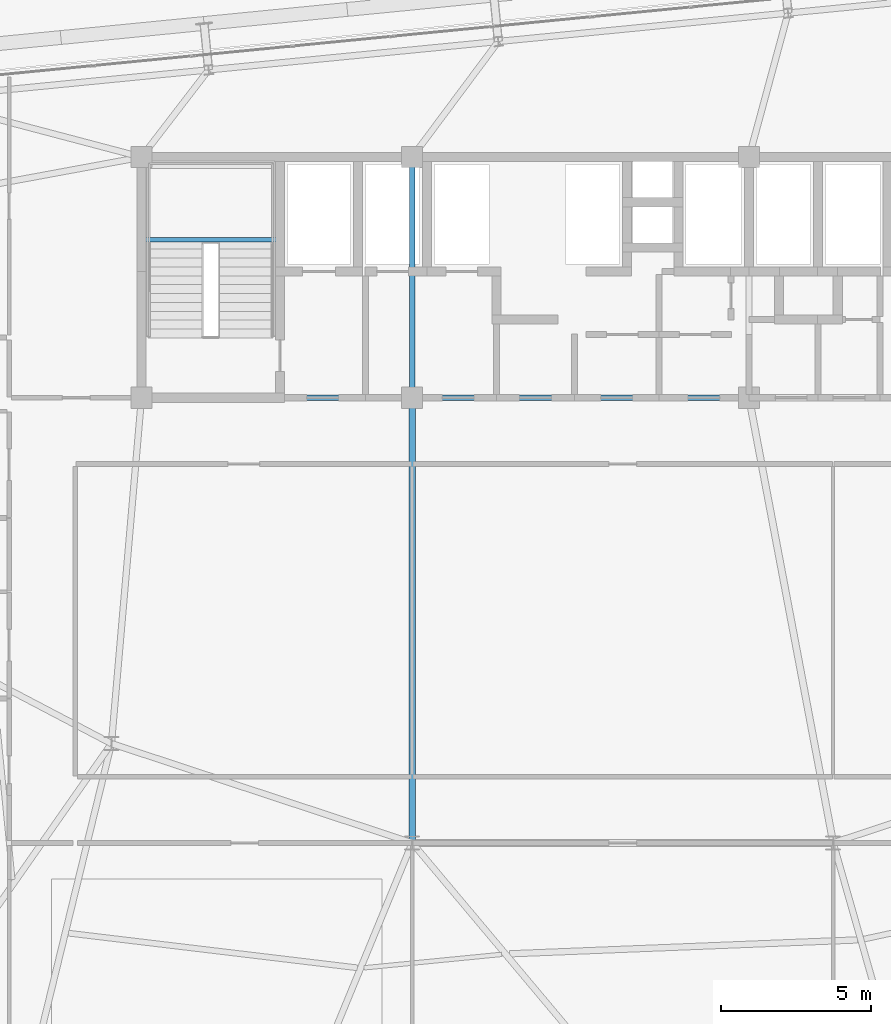
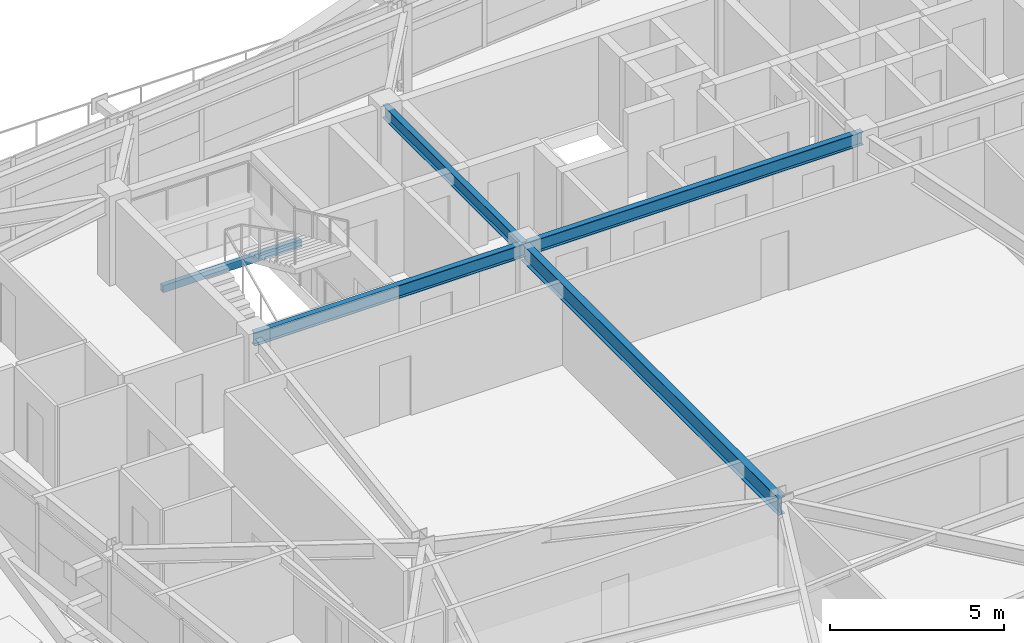
# One storey, part 16 of 51: 5 beams.
"""IFC4 building model written with IfcOpenShell, lengths in metres."""

from ifc_helpers import new_model, si_unit, direction, frame, origin, origin_2d, place, context, subcontext, project, spatial, hollow_rectangle, i_section, extrude, source, transform, mapped, material, material_profile, profile_set, type_object, element, save


model = new_model("IFC4")

# Units and contexts
model_context = context("Model", 3, precision=1e-05, world=origin(), true_north=direction((0.0, 1.0)))
body_context = subcontext(model_context, "Body", "Model", "MODEL_VIEW")
ifc_project = project(units=[si_unit("LENGTHUNIT", "METRE"), si_unit("AREAUNIT", "SQUARE_METRE"), si_unit("VOLUMEUNIT", "CUBIC_METRE"), si_unit("PLANEANGLEUNIT", "RADIAN"), si_unit("MASSUNIT", "GRAM", prefix="KILO")], contexts=[model_context])

# Site, building, storey
site_placement = place(None, origin())
site = spatial("IfcSite", under=ifc_project, at=site_placement, CompositionType="ELEMENT")
building_placement = place(site_placement, origin())
building = spatial("IfcBuilding", under=site, at=building_placement, Name="Taldren Reach Tower", CompositionType="ELEMENT")
storey_placement = place(building_placement, frame((0.0, 0.0, 65.10009765625)))
storey = spatial("IfcBuildingStorey", under=building, at=storey_placement, Name="L19", CompositionType="ELEMENT", Elevation=65.10009765625)

# Beams
ifc_material_1 = material(Name="Steel Gr 350 (350PLUS)", Category="steel")
ifc_material_profile_1 = material_profile(ifc_material_1, i_section(OverallWidth=0.19091796875, OverallDepth=0.4599609375, WebThickness=0.010009765625, FlangeThickness=0.01611328125, at=origin_2d()), Name="460UB82.1")
ifc_profile_set_1 = profile_set([ifc_material_profile_1], Name="Steel Gr 350 (350PLUS)")
beam_type_1 = type_object("IfcBeamType", Name="BM-UB460A", PredefinedType="BEAM", material=ifc_profile_set_1)
shared_shape_1 = source(origin(), body_context, "Body", "SweptSolid", [
    extrude(i_section(OverallWidth=0.19091796875, OverallDepth=0.4599609375, WebThickness=0.010009765625, FlangeThickness=0.01611328125, at=origin_2d()), origin(), (0.0, 0.0, 1.0), 9.0),
])
beam_1_placement = place(storey_placement, frame((19.0, 24.0, 2.699951171875), z_axis=(1.0, 0.0, 0.0), x_axis=(0.0, 1.0, 0.0)))
element("IfcBeam", 1, at=beam_1_placement, inside=storey, type_object=beam_type_1, Name="Core-spine girder L19-SP01", PredefinedType="BEAM", context=body_context, shape_type="MappedRepresentation", body=[
    mapped(shared_shape_1, transform((0.0, 0.0, 0.0), scale=1.0)),
])
shared_shape_2 = source(origin(), body_context, "Body", "SweptSolid", [
    extrude(i_section(OverallWidth=0.19091796875, OverallDepth=0.4599609375, WebThickness=0.010009765625, FlangeThickness=0.01611328125, at=origin_2d()), origin(), (0.0, 0.0, 1.0), 11.199951171875),
])
beam_2_placement = place(storey_placement, frame((28.0, 24.0, 2.699951171875), z_axis=(1.0, 0.0, 0.0), x_axis=(0.0, 1.0, 0.0)))
element("IfcBeam", 2, at=beam_2_placement, inside=storey, type_object=beam_type_1, Name="Core-spine girder L19-SP02", PredefinedType="BEAM", context=body_context, shape_type="MappedRepresentation", body=[
    mapped(shared_shape_2, transform((0.0, 0.0, 0.0), scale=1.0)),
])
shared_shape_3 = source(origin(), body_context, "Body", "SweptSolid", [
    extrude(i_section(OverallWidth=0.19091796875, OverallDepth=0.4599609375, WebThickness=0.010009765625, FlangeThickness=0.01611328125, at=origin_2d()), origin(), (0.0, 0.0, 1.0), 8.0),
])
beam_3_placement = place(storey_placement, frame((28.0, 24.0, 2.699951171875), z_axis=(0.0, 1.0, 0.0), x_axis=(-1.0, 0.0, 0.0)))
element("IfcBeam", 3, at=beam_3_placement, inside=storey, type_object=beam_type_1, Name="Core-spine girder L19-SP07", PredefinedType="BEAM", context=body_context, shape_type="MappedRepresentation", body=[
    mapped(shared_shape_3, transform((0.0, 0.0, 0.0), scale=1.0)),
])
ifc_material_profile_2 = material_profile(ifc_material_1, i_section(OverallWidth=0.22802734375, OverallDepth=0.60205078125, WebThickness=0.010498046875, FlangeThickness=0.014892578125, at=origin_2d()), Name="610UB101")
ifc_profile_set_2 = profile_set([ifc_material_profile_2], Name="Steel Gr 350 (350PLUS)")
beam_type_2 = type_object("IfcBeamType", Name="BM-UB610B", PredefinedType="BEAM", material=ifc_profile_set_2)
shared_shape_4 = source(origin(), body_context, "Body", "SweptSolid", [
    extrude(i_section(OverallWidth=0.22802734375, OverallDepth=0.60205078125, WebThickness=0.010498046875, FlangeThickness=0.014892578125, at=origin_2d()), origin(), (0.0, 0.0, 1.0), 14.800048828125),
])
beam_4_placement = place(storey_placement, frame((28.0, 24.0, 2.62890625), z_axis=(0.0, -1.0, 0.0), x_axis=(1.0, 0.0, 0.0)))
element("IfcBeam", 4, at=beam_4_placement, inside=storey, type_object=beam_type_2, Name="Core-spine girder L19-SP14", PredefinedType="BEAM", context=body_context, shape_type="MappedRepresentation", body=[
    mapped(shared_shape_4, transform((0.0, 0.0, 0.0), scale=1.0)),
])
ifc_material_2 = material(Name="Steel Gr 350 (C350L0)", Category="steel")
ifc_material_profile_3 = material_profile(ifc_material_2, hollow_rectangle(XDim=0.14990234375, YDim=0.25, WallThickness=0.009033203125, at=origin_2d()), Name="250x150x9.0RHS")
ifc_profile_set_3 = profile_set([ifc_material_profile_3], Name="Steel Gr 350 (C350L0)")
beam_type_3 = type_object("IfcBeamType", Name="LN-RHS250", PredefinedType="LINTEL", material=ifc_profile_set_3)
shared_shape_5 = source(origin(), body_context, "Body", "SweptSolid", [
    extrude(hollow_rectangle(XDim=0.14990234375, YDim=0.25, WallThickness=0.009033203125, at=origin_2d()), origin(), (0.0, 0.0, 1.0), 4.60009765625),
])
beam_5_placement = place(storey_placement, frame((19.0, 29.2548828125, 1.27001953125), z_axis=(1.0, 0.0, 0.0), x_axis=(0.0, 1.0, 0.0)))
element("IfcBeam", 5, at=beam_5_placement, inside=storey, type_object=beam_type_3, Name="Stair half-landing support beam ST1-L19-1", PredefinedType="LINTEL", context=body_context, shape_type="MappedRepresentation", body=[
    mapped(shared_shape_5, transform((0.0, 0.0, 0.0), scale=1.0)),
])

save(model, "model.ifc")
